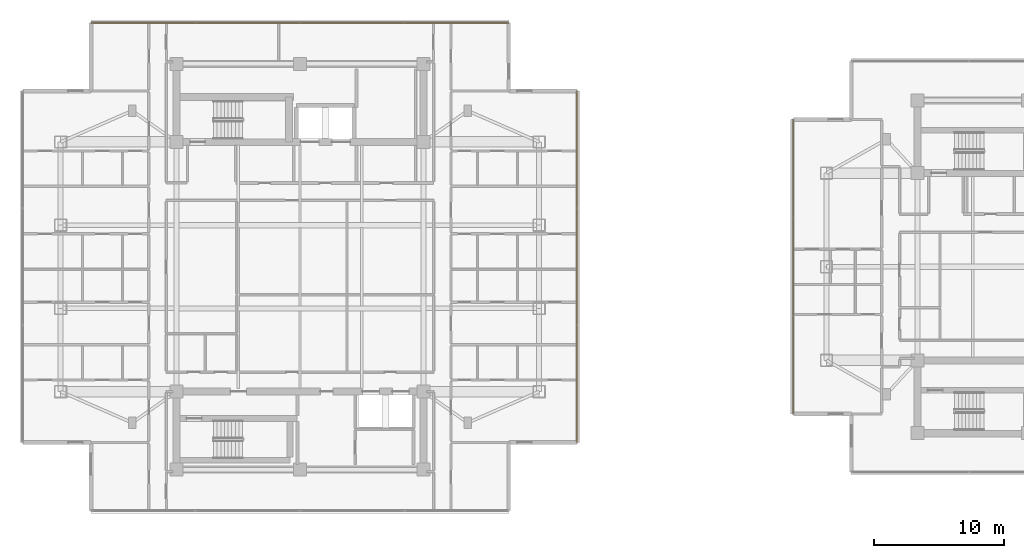
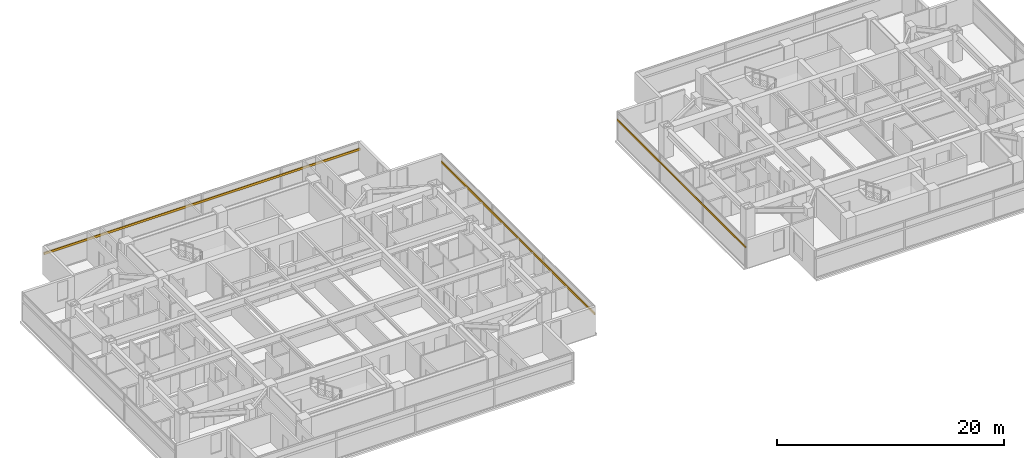
# One storey, part 22 of 25: 3 shading devices.
"""IFC4 building model written with IfcOpenShell, lengths in metres."""

from ifc_helpers import new_model, si_unit, direction, frame, origin, origin_2d, place, context, subcontext, project, spatial, rectangle, extrude, material, material_profile, profile_set, type_object, element, save


model = new_model("IFC4")

# Units and contexts
model_context = context("Model", 3, precision=1e-05, world=origin(), true_north=direction((0.0, 1.0)))
body_context = subcontext(model_context, "Body", "Model", "MODEL_VIEW")
ifc_project = project(units=[si_unit("LENGTHUNIT", "METRE"), si_unit("AREAUNIT", "SQUARE_METRE"), si_unit("VOLUMEUNIT", "CUBIC_METRE"), si_unit("PLANEANGLEUNIT", "RADIAN"), si_unit("MASSUNIT", "GRAM", prefix="KILO")], contexts=[model_context])

# Site, building, storey
site_placement = place(None, origin())
site = spatial("IfcSite", under=ifc_project, at=site_placement, CompositionType="ELEMENT")
building_placement = place(site_placement, origin())
building = spatial("IfcBuilding", under=site, at=building_placement, Name="Mirazonda Arch Towers", CompositionType="ELEMENT")
storey_placement = place(building_placement, frame((0.0, 0.0, 173.89990234375)))
storey = spatial("IfcBuildingStorey", under=building, at=storey_placement, Name="L49", CompositionType="ELEMENT", Elevation=173.89990234375)

# Shading devices
ifc_material = material(Name="Kiln-Fired Architectural Terracotta", Category="masonry")
ifc_material_profile_1 = material_profile(ifc_material, rectangle(XDim=0.1201171875, YDim=0.239990234375, at=origin_2d()), Name="TERRA-BAG-120x240")
ifc_profile_set_1 = profile_set([ifc_material_profile_1], Name="Kiln-Fired Architectural Terracotta")
shading_device_type_1 = type_object("IfcShadingDeviceType", Name="BAGUETTE-1", PredefinedType="USERDEFINED", material=ifc_profile_set_1)
shading_device_1_placement = place(storey_placement, frame((41.81005859375, 14.487060546875, 2.181640625), z_axis=(0.0, 1.0, 0.0), x_axis=(-1.0, 0.0, 0.0)))
element("IfcShadingDevice", 1, at=shading_device_1_placement, inside=storey, type_object=shading_device_type_1, Name="L49 Glazed Terracotta Sun-Screen Baguette CW-L49-T1-E", ObjectType="BAGUETTE", PredefinedType="USERDEFINED", context=body_context, shape_type="SweptSolid", body=[
    extrude(rectangle(XDim=0.1201171875, YDim=0.239990234375, at=origin_2d()), origin(), (0.0, 0.0, 1.0), 27.02587890625),
])
shading_device_2_placement = place(storey_placement, frame((4.43505859375, 46.758056640625, 2.181640625), z_axis=(1.0, 0.0, 0.0), x_axis=(0.0, 1.0, 0.0)))
element("IfcShadingDevice", 2, at=shading_device_2_placement, inside=storey, type_object=shading_device_type_1, Name="L49 Glazed Terracotta Sun-Screen Baguette CW-L49-T1-N", ObjectType="BAGUETTE", PredefinedType="USERDEFINED", context=body_context, shape_type="SweptSolid", body=[
    extrude(rectangle(XDim=0.1201171875, YDim=0.239990234375, at=origin_2d()), origin(), (0.0, 0.0, 1.0), 32.1298828125),
])
ifc_material_profile_2 = material_profile(ifc_material, rectangle(XDim=0.10009765625, YDim=0.199951171875, at=origin_2d()), Name="TERRA-BAG-100x200")
ifc_profile_set_2 = profile_set([ifc_material_profile_2], Name="Kiln-Fired Architectural Terracotta")
shading_device_type_2 = type_object("IfcShadingDeviceType", Name="BAGUETTE-2", PredefinedType="USERDEFINED", material=ifc_profile_set_2)
shading_device_3_placement = place(storey_placement, frame((58.439453125, 39.326171875, 2.181640625), z_axis=(0.0, -1.0, 0.0), x_axis=(1.0, 0.0, 0.0)))
element("IfcShadingDevice", 3, at=shading_device_3_placement, inside=storey, type_object=shading_device_type_2, Name="L49 Glazed Terracotta Sun-Screen Baguette CW-L49-T2-W", ObjectType="BAGUETTE", PredefinedType="USERDEFINED", context=body_context, shape_type="SweptSolid", body=[
    extrude(rectangle(XDim=0.10009765625, YDim=0.199951171875, at=origin_2d()), origin(), (0.0, 0.0, 1.0), 22.65234375),
])

save(model, "model.ifc")
